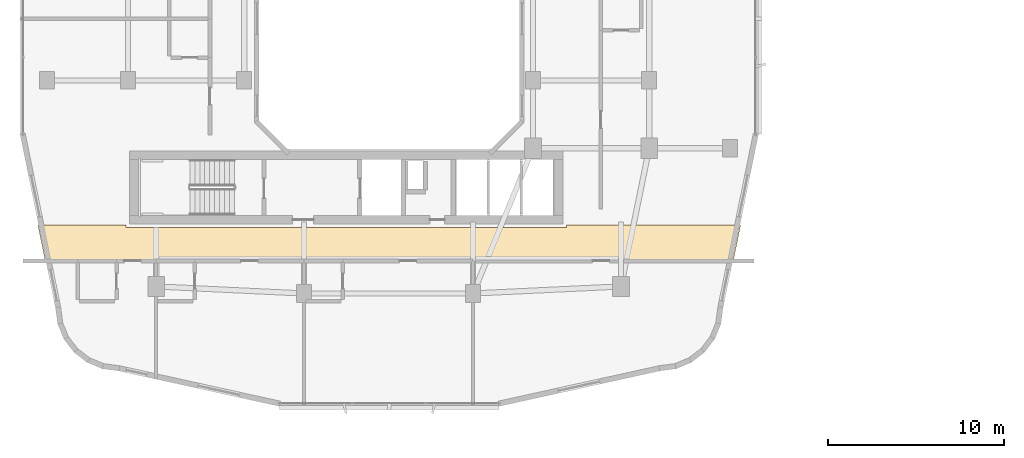
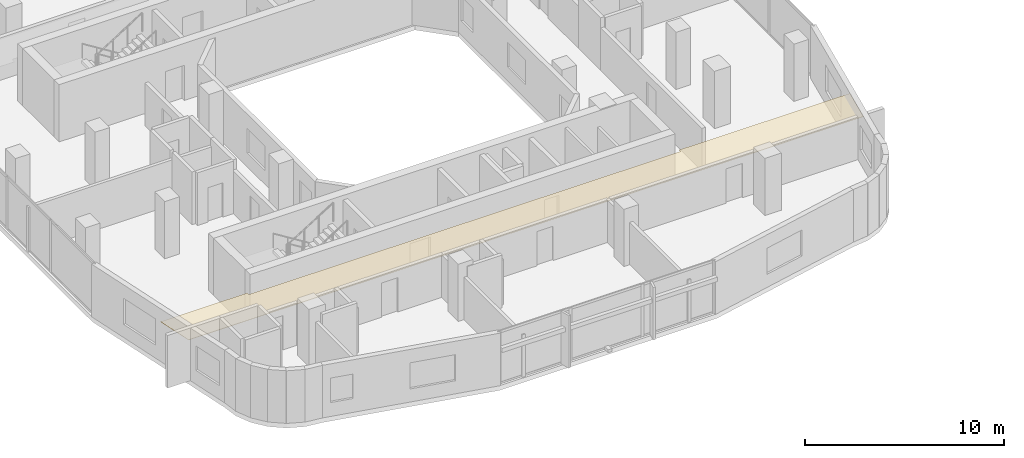
# One storey, part 22 of 25: 1 covering.
"""IFC4 building model written with IfcOpenShell, lengths in metres."""

from ifc_helpers import new_model, si_unit, derived_unit, direction, frame, origin, place, context, subcontext, project, spatial, polyline, outline, extrude, material, layer, layer_set, type_object, element, save


model = new_model("IFC4")

# Units and contexts
model_context = context("Model", 3, precision=1e-05, world=origin(), true_north=direction((0.0, 1.0)))
body_context = subcontext(model_context, "Body", "Model", "MODEL_VIEW")
ifc_project = project(units=[si_unit("LENGTHUNIT", "METRE"), si_unit("AREAUNIT", "SQUARE_METRE"), si_unit("VOLUMEUNIT", "CUBIC_METRE"), si_unit("PLANEANGLEUNIT", "RADIAN"), si_unit("MASSUNIT", "GRAM", prefix="KILO"), derived_unit("THERMALTRANSMITTANCEUNIT", [(si_unit("POWERUNIT", "WATT"), 1), (si_unit("LENGTHUNIT", "METRE"), -2), (si_unit("THERMODYNAMICTEMPERATUREUNIT", "KELVIN"), -1)])], contexts=[model_context])

# Site, building, storey
site_placement = place(None, origin())
site = spatial("IfcSite", under=ifc_project, at=site_placement, CompositionType="ELEMENT")
building_placement = place(site_placement, origin())
building = spatial("IfcBuilding", under=site, at=building_placement, Name="Kivonza Crest Hotel", CompositionType="ELEMENT")
storey_placement = place(building_placement, frame((0.0, 0.0, 83.5)))
storey = spatial("IfcBuildingStorey", under=building, at=storey_placement, Name="L22", CompositionType="ELEMENT", Elevation=83.5)

# Covering
ifc_material = material(Name="Mineral-fibre acoustic ceiling tile", Category="gypsum")
ifc_layer = layer(ifc_material, 0.02490234375)
ifc_layer_set = layer_set([ifc_layer], Name="Mineral-fibre acoustic ceiling tile")
covering_type = type_object("IfcCoveringType", Name="CV-CEIL-ACOU", PredefinedType="CEILING", material=ifc_layer_set)
covering_placement = place(storey_placement, frame((0.0, 0.0, 2.449951171875)))
element("IfcCovering", 1, at=covering_placement, inside=storey, type_object=covering_type, Name="L22 Hotel South Guest Corridor suspended ceiling", PredefinedType="CEILING", context=body_context, shape_type="SweptSolid", body=[
    extrude(outline(polyline([(40.573974609375, 11.2099609375), (40.998046875, 13.2900390625), (31.10009765625, 13.2900390625), (31.10009765625, 13.139892578125), (6.10009765625, 13.139892578125), (6.10009765625, 13.2900390625), (1.08203125, 13.2900390625), (1.506103515625, 11.2099609375), (40.573974609375, 11.2099609375)])), origin(), (0.0, 0.0, 1.0), 0.025146484375),
])

save(model, "model.ifc")
